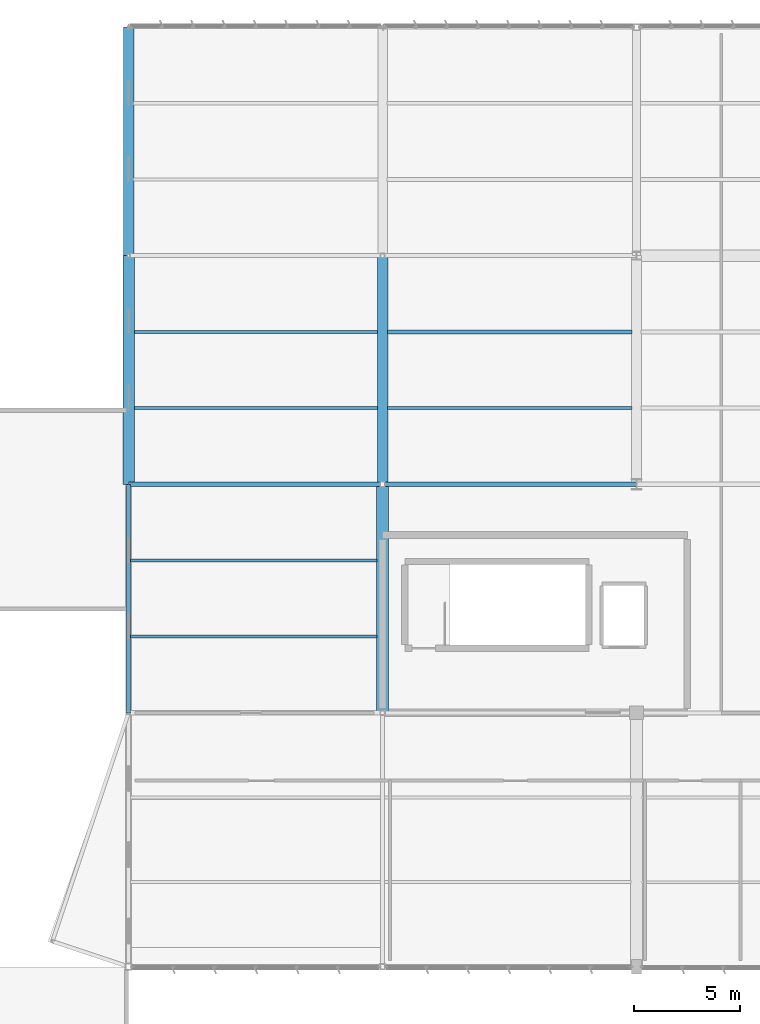
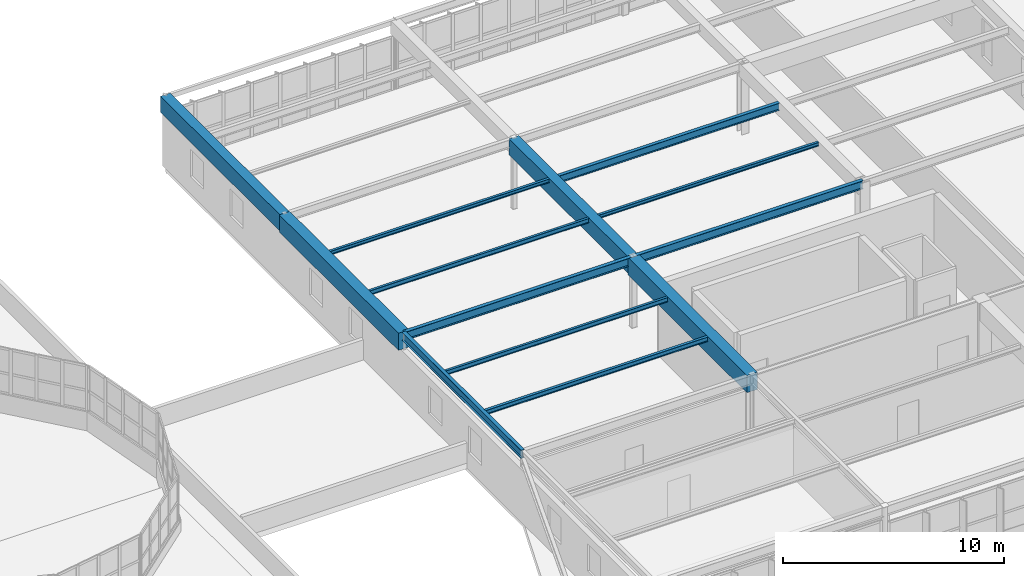
# One storey, part 64 of 128: 13 beams.
"""IFC4 building model written with IfcOpenShell, lengths in metres."""

from ifc_helpers import new_model, si_unit, direction, frame, origin, origin_2d, place, context, subcontext, project, spatial, rectangle, i_section, extrude, material, material_profile, profile_set, type_object, element, save


model = new_model("IFC4")

# Units and contexts
model_context = context("Model", 3, precision=1e-05, world=origin(), true_north=direction((0.0, 1.0)))
body_context = subcontext(model_context, "Body", "Model", "MODEL_VIEW")
ifc_project = project(units=[si_unit("LENGTHUNIT", "METRE"), si_unit("AREAUNIT", "SQUARE_METRE"), si_unit("VOLUMEUNIT", "CUBIC_METRE"), si_unit("PLANEANGLEUNIT", "RADIAN"), si_unit("MASSUNIT", "GRAM", prefix="KILO")], contexts=[model_context])

# Site, building, storey
site_placement = place(None, origin())
site = spatial("IfcSite", under=ifc_project, at=site_placement, CompositionType="ELEMENT")
building_placement = place(site_placement, origin())
building = spatial("IfcBuilding", under=site, at=building_placement, Name="Tarnwether General Hospital", CompositionType="ELEMENT")
storey_placement = place(building_placement, frame((0.0, 0.0, 14.39990234375)))
storey = spatial("IfcBuildingStorey", under=building, at=storey_placement, Name="L03", CompositionType="ELEMENT", Elevation=14.39990234375)

# Beams
ifc_material_1 = material(Name="Steel Grade 350 (350 MPa)", Category="steel")
ifc_material_profile_1 = material_profile(ifc_material_1, i_section(OverallWidth=0.19091796875, OverallDepth=0.4599609375, WebThickness=0.010009765625, FlangeThickness=0.01611328125, at=origin_2d()), Name="460UB82.1")
ifc_profile_set_1 = profile_set([ifc_material_profile_1], Name="Steel Grade 350 (350 MPa)")
beam_type_1 = type_object("IfcBeamType", Name="BM-G08", PredefinedType="BEAM", material=ifc_profile_set_1)
beam_1_placement = place(storey_placement, frame((144.0, 104.39990234375, 3.670166015625), z_axis=(1.0, 0.0, 0.0), x_axis=(0.0, 1.0, 0.0)))
element("IfcBeam", 1, at=beam_1_placement, inside=storey, type_object=beam_type_1, Name="Primary Girder BMG-L03-14400_10440-15600_10440-1767", PredefinedType="BEAM", context=body_context, shape_type="SweptSolid", body=[
    extrude(i_section(OverallWidth=0.19091796875, OverallDepth=0.4599609375, WebThickness=0.010009765625, FlangeThickness=0.01611328125, at=origin_2d()), origin(), (0.0, 0.0, 1.0), 12.0),
])
ifc_material_2 = material(Name="Steel Grade 350 (350 MPa)", Category="steel")
ifc_material_profile_2 = material_profile(ifc_material_2, i_section(OverallWidth=0.18994140625, OverallDepth=0.45703125, WebThickness=0.009033203125, FlangeThickness=0.014404296875, at=origin_2d()), Name="460UB74.6")
ifc_profile_set_2 = profile_set([ifc_material_profile_2], Name="Steel Grade 350 (350 MPa)")
beam_type_2 = type_object("IfcBeamType", Name="BM-G09", PredefinedType="BEAM", material=ifc_profile_set_2)
beam_2_placement = place(storey_placement, frame((156.0, 104.39990234375, 3.671630859375), z_axis=(1.0, 0.0, 0.0), x_axis=(0.0, 1.0, 0.0)))
element("IfcBeam", 2, at=beam_2_placement, inside=storey, type_object=beam_type_2, Name="Primary Girder BMG-L03-15600_10440-16800_10440-1785", PredefinedType="BEAM", context=body_context, shape_type="SweptSolid", body=[
    extrude(i_section(OverallWidth=0.18994140625, OverallDepth=0.45703125, WebThickness=0.009033203125, FlangeThickness=0.014404296875, at=origin_2d()), origin(), (0.0, 0.0, 1.0), 12.0),
])
ifc_material_3 = material(Name="Steel Grade 350 (350 MPa)", Category="steel")
ifc_material_profile_3 = material_profile(ifc_material_3, i_section(OverallWidth=0.18994140625, OverallDepth=0.4541015625, WebThickness=0.008544921875, FlangeThickness=0.0126953125, at=origin_2d()), Name="460UB67.1")
ifc_profile_set_3 = profile_set([ifc_material_profile_3], Name="Steel Grade 350 (350 MPa)")
beam_type_3 = type_object("IfcBeamType", Name="BM-G10", PredefinedType="BEAM", material=ifc_profile_set_3)
beam_3_placement = place(storey_placement, frame((144.0, 93.60009765625, 3.673095703125), z_axis=(0.0, 1.0, 0.0), x_axis=(-1.0, 0.0, 0.0)))
element("IfcBeam", 3, at=beam_3_placement, inside=storey, type_object=beam_type_3, Name="Primary Girder BMG-L03-14400_9360-14400_10440-1766", PredefinedType="BEAM", context=body_context, shape_type="SweptSolid", body=[
    extrude(i_section(OverallWidth=0.18994140625, OverallDepth=0.4541015625, WebThickness=0.008544921875, FlangeThickness=0.0126953125, at=origin_2d()), origin(), (0.0, 0.0, 1.0), 10.7998046875),
])
ifc_material_4 = material(Name="Concrete 40 MPa", Category="concrete")
ifc_material_profile_4 = material_profile(ifc_material_4, rectangle(XDim=0.550048828125, YDim=0.949951171875, at=origin_2d()), Name="RC-BM-550x950")
ifc_profile_set_4 = profile_set([ifc_material_profile_4], Name="Concrete 40 MPa")
beam_type_4 = type_object("IfcBeamType", Name="BM-G11", PredefinedType="BEAM", material=ifc_profile_set_4)
beam_4_placement = place(storey_placement, frame((144.0, 104.39990234375, 3.425048828125), z_axis=(0.0, 1.0, 0.0), x_axis=(-1.0, 0.0, 0.0)))
element("IfcBeam", 4, at=beam_4_placement, inside=storey, type_object=beam_type_4, Name="Primary Girder BMG-L03-14400_10440-14400_11520-1768", PredefinedType="BEAM", context=body_context, shape_type="SweptSolid", body=[
    extrude(rectangle(XDim=0.550048828125, YDim=0.949951171875, at=origin_2d()), origin(), (0.0, 0.0, 1.0), 10.800048828125),
])
beam_5_placement = place(storey_placement, frame((156.0, 93.60009765625, 3.425048828125), z_axis=(0.0, 1.0, 0.0), x_axis=(-1.0, 0.0, 0.0)))
element("IfcBeam", 5, at=beam_5_placement, inside=storey, type_object=beam_type_4, Name="Primary Girder BMG-L03-15600_9360-15600_10440-1784", PredefinedType="BEAM", context=body_context, shape_type="SweptSolid", body=[
    extrude(rectangle(XDim=0.550048828125, YDim=0.949951171875, at=origin_2d()), origin(), (0.0, 0.0, 1.0), 10.7998046875),
])
ifc_material_5 = material(Name="Concrete 40 MPa", Category="concrete")
ifc_material_profile_5 = material_profile(ifc_material_5, rectangle(XDim=0.5, YDim=0.89990234375, at=origin_2d()), Name="RC-BM-500x900")
ifc_profile_set_5 = profile_set([ifc_material_profile_5], Name="Concrete 40 MPa")
beam_type_5 = type_object("IfcBeamType", Name="BM-G12", PredefinedType="BEAM", material=ifc_profile_set_5)
for number, where, z_axis, x_axis, name in (
    (6, (144.0, 115.199951171875, 3.4501953125), (0.0, 1.0, 0.0), (-1.0, 0.0, 0.0), "Primary Girder BMG-L03-14400_11520-14400_12600-1770"),
    (7, (156.0, 104.39990234375, 3.4501953125), (0.0, 1.0, 0.0), (-1.0, 0.0, 0.0), "Primary Girder BMG-L03-15600_10440-15600_11520-1786"),
):
    element("IfcBeam", number, at=place(storey_placement, frame(where, z_axis=z_axis, x_axis=x_axis)), inside=storey, type_object=beam_type_5, Name=name, PredefinedType="BEAM", context=body_context, shape_type="SweptSolid", body=[
        extrude(rectangle(XDim=0.5, YDim=0.89990234375, at=origin_2d()), origin(), (0.0, 0.0, 1.0), 10.800048828125),
    ])
ifc_material_6 = material(Name="Steel Grade 350 (350 MPa)", Category="steel")
ifc_material_profile_6 = material_profile(ifc_material_6, i_section(OverallWidth=0.177978515625, OverallDepth=0.406005859375, WebThickness=0.0078125, FlangeThickness=0.0126953125, at=origin_2d()), Name="410UB59.7")
ifc_profile_set_6 = profile_set([ifc_material_profile_6], Name="Steel Grade 350 (350 MPa)")
beam_type_6 = type_object("IfcBeamType", Name="BM-J01", PredefinedType="JOIST", material=ifc_profile_set_6)
beam_6_placement = place(storey_placement, frame((156.243896484375, 111.60009765625, 3.697021484375), z_axis=(1.0, 0.0, 0.0), x_axis=(0.0, 1.0, 0.0)))
element("IfcBeam", 8, at=beam_6_placement, inside=storey, type_object=beam_type_6, Name="Composite Floor Joist BMG-L03-15624_11160-16778_11160-1839", PredefinedType="JOIST", context=body_context, shape_type="SweptSolid", body=[
    extrude(i_section(OverallWidth=0.177978515625, OverallDepth=0.406005859375, WebThickness=0.0078125, FlangeThickness=0.0126953125, at=origin_2d()), origin(), (0.0, 0.0, 1.0), 11.537109375),
])
ifc_material_7 = material(Name="Steel Grade 350 (350 MPa)", Category="steel")
ifc_material_profile_7 = material_profile(ifc_material_7, i_section(OverallWidth=0.14599609375, OverallDepth=0.251953125, WebThickness=0.006103515625, FlangeThickness=0.008544921875, at=origin_2d()), Name="250UB31.4")
ifc_profile_set_7 = profile_set([ifc_material_profile_7], Name="Steel Grade 350 (350 MPa)")
beam_type_7 = type_object("IfcBeamType", Name="BM-J10", PredefinedType="JOIST", material=ifc_profile_set_7)
beam_7_placement = place(storey_placement, frame((144.089111328125, 97.199951171875, 3.774169921875), z_axis=(1.0, 0.0, 0.0), x_axis=(0.0, 1.0, 0.0)))
element("IfcBeam", 9, at=beam_7_placement, inside=storey, type_object=beam_type_7, Name="Composite Floor Joist BMG-L03-14409_9720-15573_9720-1824", PredefinedType="JOIST", context=body_context, shape_type="SweptSolid", body=[
    extrude(i_section(OverallWidth=0.14599609375, OverallDepth=0.251953125, WebThickness=0.006103515625, FlangeThickness=0.008544921875, at=origin_2d()), origin(), (0.0, 0.0, 1.0), 11.641845703125),
])
ifc_material_8 = material(Name="Steel Grade 350 (350 MPa)", Category="steel")
ifc_material_profile_8 = material_profile(ifc_material_8, i_section(OverallWidth=0.1240234375, OverallDepth=0.248046875, WebThickness=0.0048828125, FlangeThickness=0.008056640625, at=origin_2d()), Name="250UB25.7")
ifc_profile_set_8 = profile_set([ifc_material_profile_8], Name="Steel Grade 350 (350 MPa)")
beam_type_8 = type_object("IfcBeamType", Name="BM-J11", PredefinedType="JOIST", material=ifc_profile_set_8)
beam_8_placement = place(storey_placement, frame((144.089111328125, 100.800048828125, 3.776123046875), z_axis=(1.0, 0.0, 0.0), x_axis=(0.0, 1.0, 0.0)))
element("IfcBeam", 10, at=beam_8_placement, inside=storey, type_object=beam_type_8, Name="Composite Floor Joist BMG-L03-14409_10080-15573_10080-1825", PredefinedType="JOIST", context=body_context, shape_type="SweptSolid", body=[
    extrude(i_section(OverallWidth=0.1240234375, OverallDepth=0.248046875, WebThickness=0.0048828125, FlangeThickness=0.008056640625, at=origin_2d()), origin(), (0.0, 0.0, 1.0), 11.641845703125),
])
beam_9_placement = place(storey_placement, frame((144.26904296875, 108.0, 3.776123046875), z_axis=(1.0, 0.0, 0.0), x_axis=(0.0, 1.0, 0.0)))
element("IfcBeam", 11, at=beam_9_placement, inside=storey, type_object=beam_type_8, Name="Composite Floor Joist BMG-L03-14427_10800-15576_10800-1826", PredefinedType="JOIST", context=body_context, shape_type="SweptSolid", body=[
    extrude(i_section(OverallWidth=0.1240234375, OverallDepth=0.248046875, WebThickness=0.0048828125, FlangeThickness=0.008056640625, at=origin_2d()), origin(), (0.0, 0.0, 1.0), 11.487060546875),
])
ifc_material_9 = material(Name="Steel Grade 350 (350 MPa)", Category="steel")
ifc_material_profile_9 = material_profile(ifc_material_9, i_section(OverallWidth=0.134033203125, OverallDepth=0.20703125, WebThickness=0.00634765625, FlangeThickness=0.009521484375, at=origin_2d()), Name="200UB29.8")
ifc_profile_set_9 = profile_set([ifc_material_profile_9], Name="Steel Grade 350 (350 MPa)")
beam_type_9 = type_object("IfcBeamType", Name="BM-J12", PredefinedType="JOIST", material=ifc_profile_set_9)
beam_10_placement = place(storey_placement, frame((144.26904296875, 111.60009765625, 3.796630859375), z_axis=(1.0, 0.0, 0.0), x_axis=(0.0, 1.0, 0.0)))
element("IfcBeam", 12, at=beam_10_placement, inside=storey, type_object=beam_type_9, Name="Composite Floor Joist BMG-L03-14427_11160-15576_11160-1827", PredefinedType="JOIST", context=body_context, shape_type="SweptSolid", body=[
    extrude(i_section(OverallWidth=0.134033203125, OverallDepth=0.20703125, WebThickness=0.00634765625, FlangeThickness=0.009521484375, at=origin_2d()), origin(), (0.0, 0.0, 1.0), 11.487060546875),
])
beam_11_placement = place(storey_placement, frame((156.243896484375, 108.0, 3.796630859375), z_axis=(1.0, 0.0, 0.0), x_axis=(0.0, 1.0, 0.0)))
element("IfcBeam", 13, at=beam_11_placement, inside=storey, type_object=beam_type_9, Name="Composite Floor Joist BMG-L03-15624_10800-16778_10800-1838", PredefinedType="JOIST", context=body_context, shape_type="SweptSolid", body=[
    extrude(i_section(OverallWidth=0.134033203125, OverallDepth=0.20703125, WebThickness=0.00634765625, FlangeThickness=0.009521484375, at=origin_2d()), origin(), (0.0, 0.0, 1.0), 11.537109375),
])

save(model, "model.ifc")
